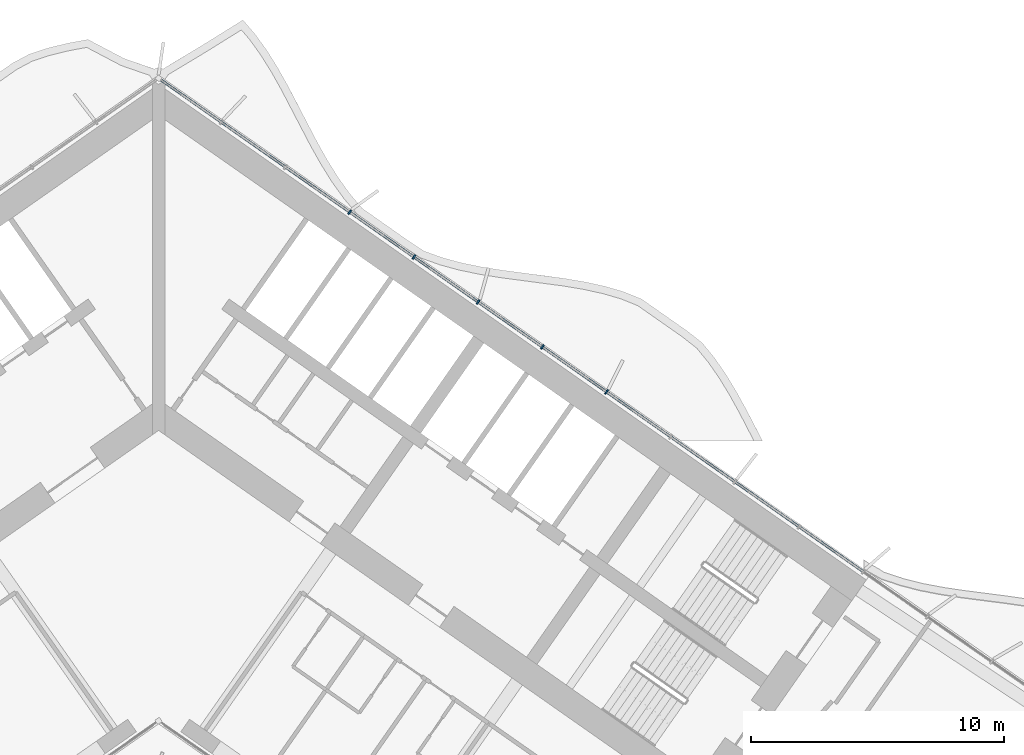
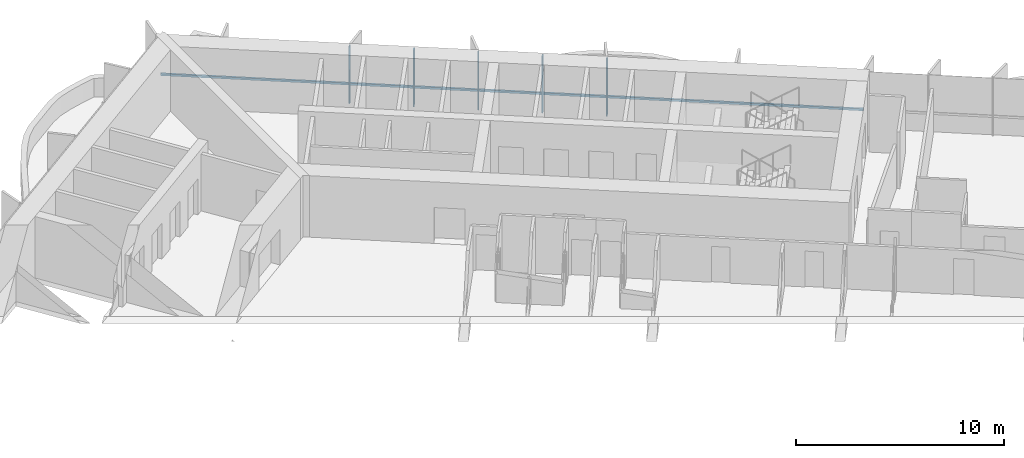
# One storey, part 8 of 23: 6 members, 1 element without a shape of its own.
"""IFC4 building model written with IfcOpenShell, lengths in metres."""

from ifc_helpers import new_model, si_unit, direction, frame, origin, origin_2d, place, context, subcontext, project, spatial, rectangle, extrude, material, material_profile, profile_set, type_object, element, aggregate, save


model = new_model("IFC4")

# Units and contexts
model_context = context("Model", 3, precision=1e-05, world=origin(), true_north=direction((0.0, 1.0)))
body_context = subcontext(model_context, "Body", "Model", "MODEL_VIEW")
ifc_project = project(units=[si_unit("LENGTHUNIT", "METRE"), si_unit("AREAUNIT", "SQUARE_METRE"), si_unit("VOLUMEUNIT", "CUBIC_METRE"), si_unit("PLANEANGLEUNIT", "RADIAN"), si_unit("MASSUNIT", "GRAM", prefix="KILO")], contexts=[model_context])

# Site, building, storey
site_placement = place(None, origin())
site = spatial("IfcSite", under=ifc_project, at=site_placement, CompositionType="ELEMENT")
building_placement = place(site_placement, origin())
building = spatial("IfcBuilding", under=site, at=building_placement, Name="Tel Ilan Convention Tower", CompositionType="ELEMENT")
storey_placement = place(building_placement, frame((0.0, 0.0, 112.10009765625)))
storey = spatial("IfcBuildingStorey", under=building, at=storey_placement, Name="L24", CompositionType="ELEMENT", Elevation=112.10009765625)

# Curtain wall, members
ifc_material_1 = material(Name="Aluminium, bronze anodised", Category="aluminium")
curtain_wall_type = type_object("IfcCurtainWallType", Name="CW2 STICK CURTAIN WALL, SPANDREL PANELS", PredefinedType="NOTDEFINED", material=ifc_material_1)
curtain_wall_placement = place(storey_placement, origin())
curtain_wall = element("IfcCurtainWall", 1, at=curtain_wall_placement, inside=storey, type_object=curtain_wall_type, Name="Curtain wall CW2-20.01", PredefinedType="NOTDEFINED")
ifc_material_2 = material(Name="Aluminium, bronze anodised", Category="aluminium")
ifc_material_profile_1 = material_profile(ifc_material_2, rectangle(XDim=0.06005859375, YDim=0.199951171875, at=origin_2d()), Name="CW MULLION 60x200")
ifc_profile_set_1 = profile_set([ifc_material_profile_1], Name="Aluminium, bronze anodised")
member_type_1 = type_object("IfcMemberType", Name="CW MULLION 60x200", PredefinedType="MULLION", material=ifc_profile_set_1)
member_1_placement = place(storey_placement, frame((17.701171875, 0.301513671875, 0.0), z_axis=(0.0, 0.0, 1.0), x_axis=(-0.819152044289, 0.573576436351, 0.0)))
member_1 = element("IfcMember", 2, at=member_1_placement, type_object=member_type_1, Name="Mullion", PredefinedType="MULLION", context=body_context, shape_type="SweptSolid", body=[
    extrude(rectangle(XDim=0.06005859375, YDim=0.199951171875, at=origin_2d()), origin(), (0.0, 0.0, 1.0), 3.31982421875),
])
member_2_placement = place(storey_placement, frame((15.1640625, 2.077880859375, 0.0), z_axis=(0.0, 0.0, 1.0), x_axis=(-0.819152044289, 0.573576436351, 0.0)))
member_2 = element("IfcMember", 3, at=member_2_placement, type_object=member_type_1, Name="Mullion", PredefinedType="MULLION", context=body_context, shape_type="SweptSolid", body=[
    extrude(rectangle(XDim=0.06005859375, YDim=0.199951171875, at=origin_2d()), origin(), (0.0, 0.0, 1.0), 3.31982421875),
])
member_3_placement = place(storey_placement, frame((12.627197265625, 3.854248046875, 0.0), z_axis=(0.0, 0.0, 1.0), x_axis=(-0.819152044289, 0.573576436351, 0.0)))
member_3 = element("IfcMember", 4, at=member_3_placement, type_object=member_type_1, Name="Mullion", PredefinedType="MULLION", context=body_context, shape_type="SweptSolid", body=[
    extrude(rectangle(XDim=0.06005859375, YDim=0.199951171875, at=origin_2d()), origin(), (0.0, 0.0, 1.0), 3.31982421875),
])
member_4_placement = place(storey_placement, frame((10.09033203125, 5.630615234375, 0.0), z_axis=(0.0, 0.0, 1.0), x_axis=(-0.819152044289, 0.573576436351, 0.0)))
member_4 = element("IfcMember", 5, at=member_4_placement, type_object=member_type_1, Name="Mullion", PredefinedType="MULLION", context=body_context, shape_type="SweptSolid", body=[
    extrude(rectangle(XDim=0.06005859375, YDim=0.199951171875, at=origin_2d()), origin(), (0.0, 0.0, 1.0), 3.31982421875),
])
member_5_placement = place(storey_placement, frame((7.553466796875, 7.406982421875, 0.0), z_axis=(0.0, 0.0, 1.0), x_axis=(-0.819152044289, 0.573576436351, 0.0)))
member_5 = element("IfcMember", 6, at=member_5_placement, type_object=member_type_1, Name="Mullion", PredefinedType="MULLION", context=body_context, shape_type="SweptSolid", body=[
    extrude(rectangle(XDim=0.06005859375, YDim=0.199951171875, at=origin_2d()), origin(), (0.0, 0.0, 1.0), 3.31982421875),
])
ifc_material_3 = material(Name="Aluminium, bronze anodised", Category="aluminium")
ifc_material_profile_2 = material_profile(ifc_material_3, rectangle(XDim=0.10009765625, YDim=0.1201171875, at=origin_2d()), Name="CW TRANSOM 100x120")
ifc_profile_set_2 = profile_set([ifc_material_profile_2], Name="Aluminium, bronze anodised")
member_type_2 = type_object("IfcMemberType", Name="CW TRANSOM 100x120", PredefinedType="USERDEFINED", material=ifc_profile_set_2)
member_6_placement = place(storey_placement, frame((27.82421875, -6.78662109375, 1.099853515625), z_axis=(-0.819151916241, 0.573576619222, 0.0), x_axis=(-0.573576619222, -0.819151916241, 0.0)))
member_6 = element("IfcMember", 7, at=member_6_placement, type_object=member_type_2, Name="Transom", ObjectType="TRANSOM", PredefinedType="USERDEFINED", context=body_context, shape_type="SweptSolid", body=[
    extrude(rectangle(XDim=0.10009765625, YDim=0.1201171875, at=origin_2d()), origin(), (0.0, 0.0, 1.0), 33.837158203125),
])
aggregate(curtain_wall, [member_1, member_2, member_3, member_4, member_5, member_6])

save(model, "model.ifc")
